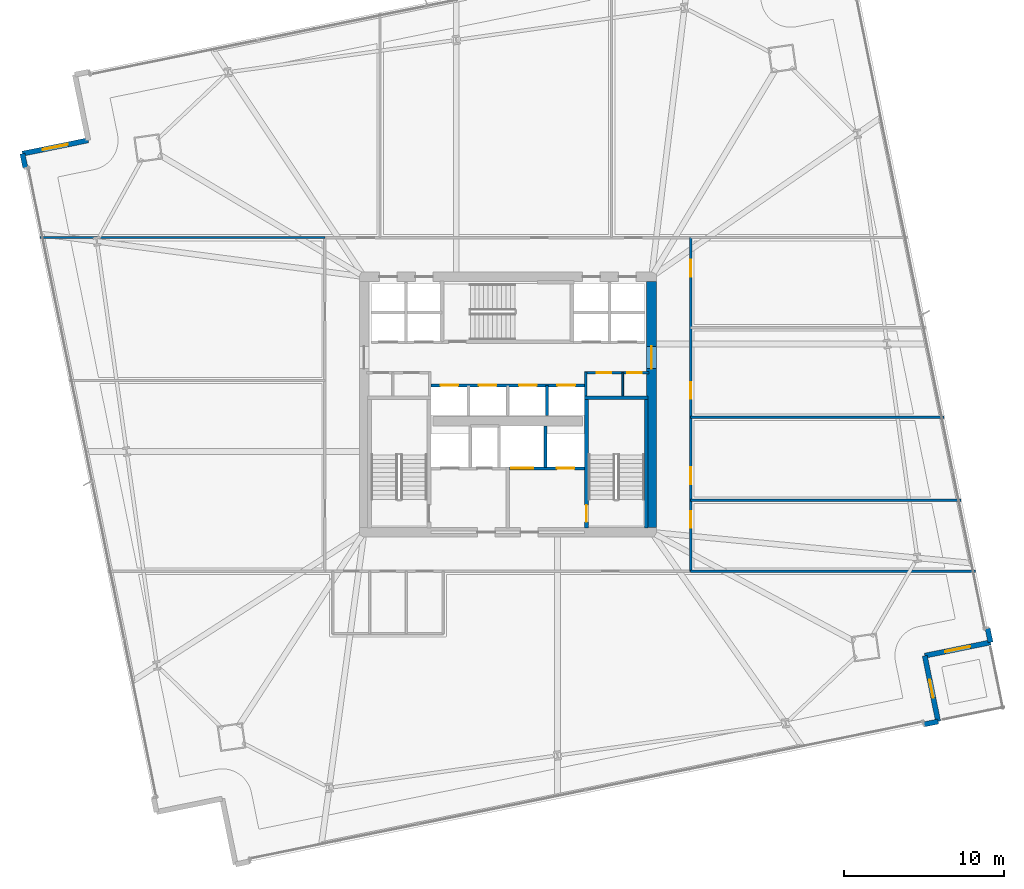
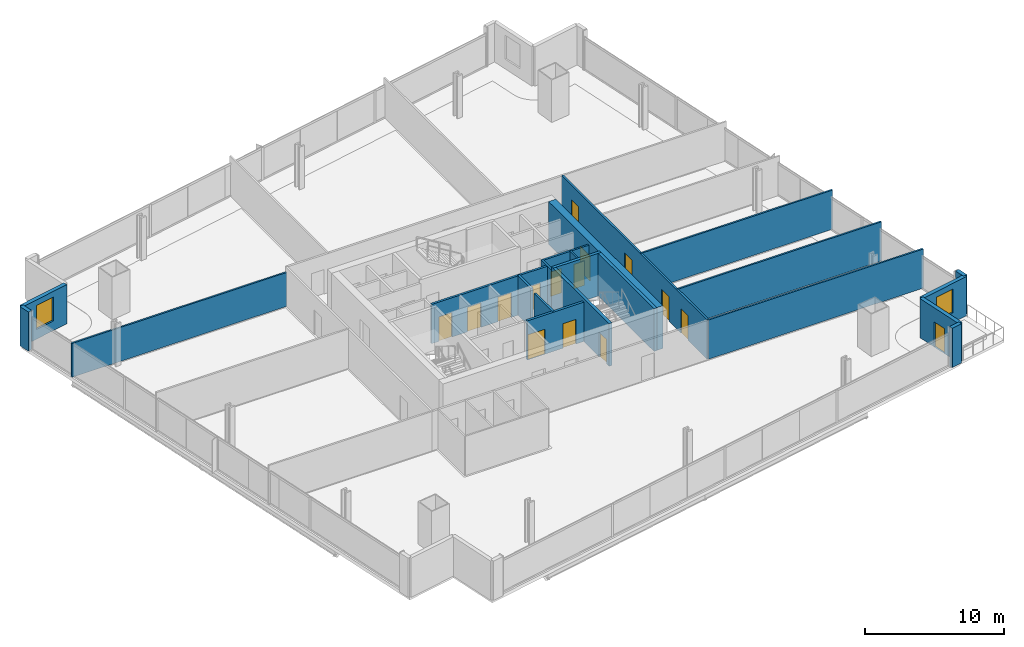
# One storey, part 26 of 33: 22 walls, 15 doors, 2 windows, 17 openings.
"""IFC4 building model written with IfcOpenShell, lengths in metres."""

from ifc_helpers import new_model, si_unit, direction, frame, frame_2d, origin, place, context, subcontext, project, spatial, rectangle, extrude, material, layer, layer_set, type_object, element, fill, save


model = new_model("IFC4")

# Units and contexts
model_context = context("Model", 3, precision=1e-05, world=origin(), true_north=direction((0.0, 1.0)))
body_context = subcontext(model_context, "Body", "Model", "MODEL_VIEW")
ifc_project = project(units=[si_unit("LENGTHUNIT", "METRE"), si_unit("AREAUNIT", "SQUARE_METRE"), si_unit("VOLUMEUNIT", "CUBIC_METRE"), si_unit("PLANEANGLEUNIT", "RADIAN"), si_unit("MASSUNIT", "GRAM", prefix="KILO")], contexts=[model_context])

# Site, building, storey
site_placement = place(None, origin())
site = spatial("IfcSite", under=ifc_project, at=site_placement, CompositionType="ELEMENT")
building_placement = place(site_placement, origin())
building = spatial("IfcBuilding", under=site, at=building_placement, Name="Haldenkirk Collegiate Tower", CompositionType="ELEMENT")
storey_placement = place(building_placement, frame((0.0, 0.0, 66.449951171875)))
storey = spatial("IfcBuildingStorey", under=building, at=storey_placement, Name="L15", CompositionType="ELEMENT", Elevation=66.449951171875)

# Wall, opening, door
ifc_material_1 = material(Name="Concrete f'c 70 MPa", Category="concrete")
ifc_layer_1 = layer(ifc_material_1, 0.60009765625)
ifc_layer_set_1 = layer_set([ifc_layer_1], Name="Concrete f'c 70 MPa")
wall_type_1 = type_object("IfcWallType", Name="WL-CORE-600", PredefinedType="SHEAR", material=ifc_layer_set_1)
wall_1_placement = place(storey_placement, frame((45.0, 18.300048828125, 0.0), z_axis=(0.0, 0.0, 1.0), x_axis=(0.0, 1.0, 0.0)))
wall_1 = element("IfcWall", 1, at=wall_1_placement, inside=storey, type_object=wall_type_1, Name="L15 central core shear wall E", PredefinedType="SHEAR", context=body_context, shape_type="SweptSolid", body=[
    extrude(rectangle(XDim=15.39990234375, YDim=0.60009765625, at=frame_2d((7.699951171875, 0.0))), origin(), (0.0, 0.0, 1.0), 3.75),
])
opening_1_placement = place(wall_1_placement, frame((9.93994140625, 0.0, 0.0)))
opening_1 = element("IfcOpeningElement", 2, at=opening_1_placement, cuts=wall_1, Name="Opening D-03", PredefinedType="OPENING", context=body_context, shape_type="SweptSolid", body=[
    extrude(rectangle(XDim=1.39990234375, YDim=2.199951171875, at=frame_2d((0.699951171875, 1.10009765625))), frame((0.0, 0.31005859375, 0.0), z_axis=(0.0, -1.0, 0.0), x_axis=(1.0, 0.0, 0.0)), (0.0, 0.0, 1.0), 0.6201171875),
])
ifc_material_2 = material(Name="Galvanized fire-rated hollow steel door", Category="steel")
ifc_layer_2 = layer(ifc_material_2, 0.06005859375)
ifc_layer_set_2 = layer_set([ifc_layer_2], Name="Galvanized fire-rated hollow steel door")
door_type_1 = type_object("IfcDoorType", Name="DR-LOBBY-FD90-1400", OperationType="NOTDEFINED", PredefinedType="DOOR", material=ifc_layer_set_2)
door_1_placement = place(opening_1_placement, origin())
door_1 = element("IfcDoor", 3, at=door_1_placement, inside=storey, type_object=door_type_1, Name="L15 east lift lobby portal", OperationType="DOUBLE_DOOR_SINGLE_SWING", OverallHeight=2.199951171875, OverallWidth=1.39990234375, PredefinedType="DOOR", context=body_context, shape_type="SweptSolid", body=[
    extrude(rectangle(XDim=1.39990234375, YDim=2.199951171875, at=frame_2d((0.699951171875, 1.10009765625))), frame((0.0, 0.02490234375, 0.0), z_axis=(0.0, -1.0, 0.0), x_axis=(1.0, 0.0, 0.0)), (0.0, 0.0, 1.0), 0.050048828125),
])
fill(opening_1, door_1)

# Wall
ifc_material_3 = material(Name="Precast concrete f'c 40 MPa", Category="concrete")
ifc_layer_3 = layer(ifc_material_3, 0.320068359375)
ifc_layer_set_3 = layer_set([ifc_layer_3], Name="Precast concrete f'c 40 MPa")
wall_type_2 = type_object("IfcWallType", Name="WL-EXT-TWR-320", PredefinedType="STANDARD", material=ifc_layer_set_3)
wall_2_placement = place(storey_placement, frame((62.948486328125, 6.149169921875, 0.0), z_axis=(0.0, 0.0, 1.0), x_axis=(-0.979917798202, -0.199401877541, 0.0)))
element("IfcWall", 4, at=wall_2_placement, inside=storey, type_object=wall_type_2, Name="L15 precast corner pier SL", PredefinedType="STANDARD", context=body_context, shape_type="SweptSolid", body=[
    extrude(rectangle(XDim=0.89990234375, YDim=0.320068359375, at=frame_2d((0.449951171875, 0.0))), origin(), (0.0, 0.0, 1.0), 3.43994140625),
])

# Wall, opening, door
wall_3_placement = place(storey_placement, frame((62.111328125, 10.264892578125, 0.0), z_axis=(0.0, 0.0, 1.0), x_axis=(0.199323343051, -0.97993377578, 0.0)))
wall_3 = element("IfcWall", 5, at=wall_3_placement, inside=storey, type_object=wall_type_2, Name="L15 bronze precast notch wall 02", PredefinedType="STANDARD", context=body_context, shape_type="SweptSolid", body=[
    extrude(rectangle(XDim=4.199951171875, YDim=0.320068359375, at=frame_2d((2.10009765625, 0.0))), origin(), (0.0, 0.0, 1.0), 3.43994140625),
])
opening_2_placement = place(wall_3_placement, frame((1.52490234375, 0.0, 0.0)))
opening_2 = element("IfcOpeningElement", 6, at=opening_2_placement, cuts=wall_3, Name="Opening D-ST11", PredefinedType="OPENING", context=body_context, shape_type="SweptSolid", body=[
    extrude(rectangle(XDim=1.14990234375, YDim=2.199951171875, at=frame_2d((0.574951171875, 1.10009765625))), frame((0.0, 0.169921875, 0.0), z_axis=(0.0, -1.0, 0.0), x_axis=(1.0, 0.0, 0.0)), (0.0, 0.0, 1.0), 0.340087890625),
])
ifc_material_4 = material(Name="Anodised architectural bronze aluminium", Category="aluminium")
ifc_layer_4 = layer(ifc_material_4, 0.080078125)
ifc_layer_set_4 = layer_set([ifc_layer_4], Name="Anodised architectural bronze aluminium")
door_type_2 = type_object("IfcDoorType", Name="DR-EXT-STER-1150", OperationType="NOTDEFINED", PredefinedType="DOOR", material=ifc_layer_set_4)
door_2_placement = place(opening_2_placement, origin())
door_2 = element("IfcDoor", 7, at=door_2_placement, inside=storey, type_object=door_type_2, Name="L15 spiralling terrace door", OperationType="SINGLE_SWING_RIGHT", OverallHeight=2.199951171875, OverallWidth=1.14990234375, PredefinedType="DOOR", context=body_context, shape_type="SweptSolid", body=[
    extrude(rectangle(XDim=1.14990234375, YDim=2.199951171875, at=frame_2d((0.574951171875, 1.10009765625))), frame((0.0, 0.02490234375, 0.0), z_axis=(0.0, -1.0, 0.0), x_axis=(1.0, 0.0, 0.0)), (0.0, 0.0, 1.0), 0.050048828125),
])
fill(opening_2, door_2)

# Wall, opening, window
wall_4_placement = place(storey_placement, frame((66.22705078125, 11.102294921875, 0.0), z_axis=(0.0, 0.0, 1.0), x_axis=(-0.979922420409, -0.199379161348, 0.0)))
wall_4 = element("IfcWall", 8, at=wall_4_placement, inside=storey, type_object=wall_type_2, Name="L15 bronze precast notch wall 03", PredefinedType="STANDARD", context=body_context, shape_type="SweptSolid", body=[
    extrude(rectangle(XDim=4.199951171875, YDim=0.320068359375, at=frame_2d((2.10009765625, 0.0))), origin(), (0.0, 0.0, 1.0), 3.43994140625),
])
opening_3_placement = place(wall_4_placement, frame((1.300048828125, 0.0, 0.85009765625)))
opening_3 = element("IfcOpeningElement", 9, at=opening_3_placement, cuts=wall_4, Name="Opening W-03", PredefinedType="OPENING", context=body_context, shape_type="SweptSolid", body=[
    extrude(rectangle(XDim=1.60009765625, YDim=2.10009765625, at=frame_2d((0.800048828125, 1.050048828125))), frame((0.0, 0.169921875, 0.0), z_axis=(0.0, -1.0, 0.0), x_axis=(1.0, 0.0, 0.0)), (0.0, 0.0, 1.0), 0.340087890625),
])
ifc_material_5 = material(Name="Low-E argon triple insulating glass", Category="glass")
ifc_layer_5 = layer(ifc_material_5, 0.090087890625)
ifc_layer_set_5 = layer_set([ifc_layer_5], Name="Low-E argon triple insulating glass")
window_type = type_object("IfcWindowType", Name="WN-Z1-1600X2100", PartitioningType="SINGLE_PANEL", PredefinedType="WINDOW", material=ifc_layer_set_5)
window_1_placement = place(opening_3_placement, origin())
window_1 = element("IfcWindow", 10, at=window_1_placement, inside=storey, type_object=window_type, Name="L15 precast-frame academic window 2", OverallHeight=2.10009765625, OverallWidth=1.60009765625, PartitioningType="SINGLE_PANEL", PredefinedType="WINDOW", context=body_context, shape_type="SweptSolid", body=[
    extrude(rectangle(XDim=1.60009765625, YDim=2.10009765625, at=frame_2d((0.800048828125, 1.050048828125))), frame((0.0, 0.030029296875, 0.0), z_axis=(0.0, -1.0, 0.0), x_axis=(1.0, 0.0, 0.0)), (0.0, 0.0, 1.0), 0.06005859375),
])
fill(opening_3, window_1)

# Wall
wall_5_placement = place(storey_placement, frame((66.047607421875, 11.984130859375, 0.0), z_axis=(0.0, 0.0, 1.0), x_axis=(0.199401877541, -0.979917798202, 0.0)))
element("IfcWall", 11, at=wall_5_placement, inside=storey, type_object=wall_type_2, Name="L15 precast corner pier ER", PredefinedType="STANDARD", context=body_context, shape_type="SweptSolid", body=[
    extrude(rectangle(XDim=0.89990234375, YDim=0.320068359375, at=frame_2d((0.449951171875, 0.0))), origin(), (0.0, 0.0, 1.0), 3.43994140625),
])

# Wall, opening, window
wall_6_placement = place(storey_placement, frame((5.608642578125, 41.706298828125, 0.0), z_axis=(0.0, 0.0, 1.0), x_axis=(0.979920109503, 0.199390518811, 0.0)))
wall_6 = element("IfcWall", 12, at=wall_6_placement, inside=storey, type_object=wall_type_2, Name="L15 bronze precast notch wall 09", PredefinedType="STANDARD", context=body_context, shape_type="SweptSolid", body=[
    extrude(rectangle(XDim=4.19970703125, YDim=0.320068359375, at=frame_2d((2.099853515625, 0.0))), origin(), (0.0, 0.0, 1.0), 3.43994140625),
])
opening_4_placement = place(wall_6_placement, frame((1.300048828125, 0.0, 0.85009765625)))
opening_4 = element("IfcOpeningElement", 13, at=opening_4_placement, cuts=wall_6, Name="Opening W-03", PredefinedType="OPENING", context=body_context, shape_type="SweptSolid", body=[
    extrude(rectangle(XDim=1.60009765625, YDim=2.10009765625, at=frame_2d((0.800048828125, 1.050048828125))), frame((0.0, 0.169921875, 0.0), z_axis=(0.0, -1.0, 0.0), x_axis=(1.0, 0.0, 0.0)), (0.0, 0.0, 1.0), 0.340087890625),
])
window_2_placement = place(opening_4_placement, origin())
window_2 = element("IfcWindow", 14, at=window_2_placement, inside=storey, type_object=window_type, Name="L15 precast-frame academic window 8", OverallHeight=2.10009765625, OverallWidth=1.60009765625, PartitioningType="SINGLE_PANEL", PredefinedType="WINDOW", context=body_context, shape_type="SweptSolid", body=[
    extrude(rectangle(XDim=1.60009765625, YDim=2.10009765625, at=frame_2d((0.800048828125, 1.050048828125))), frame((0.0, 0.030029296875, 0.0), z_axis=(0.0, -1.0, 0.0), x_axis=(1.0, 0.0, 0.0)), (0.0, 0.0, 1.0), 0.06005859375),
])
fill(opening_4, window_2)

# Wall
wall_7_placement = place(storey_placement, frame((5.7880859375, 40.82421875, 0.0), z_axis=(0.0, 0.0, 1.0), x_axis=(-0.199348880974, 0.979928580895, 0.0)))
element("IfcWall", 15, at=wall_7_placement, inside=storey, type_object=wall_type_2, Name="L15 precast corner pier WR", PredefinedType="STANDARD", context=body_context, shape_type="SweptSolid", body=[
    extrude(rectangle(XDim=0.900146484375, YDim=0.320068359375, at=frame_2d((0.4501953125, 0.0))), origin(), (0.0, 0.0, 1.0), 3.43994140625),
])

# Wall, openings, doors
ifc_material_6 = material(Name="Acoustic fire-rated gypsum partition", Category="concrete")
ifc_layer_6 = layer(ifc_material_6, 0.159912109375)
ifc_layer_set_6 = layer_set([ifc_layer_6], Name="Acoustic fire-rated gypsum partition")
wall_type_3 = type_object("IfcWallType", Name="WL-INT-CORR-160", PredefinedType="PARTITIONING", material=ifc_layer_set_6)
wall_8_placement = place(storey_placement, frame((40.800048828125, 27.97998046875, 0.0), z_axis=(0.0, 0.0, 1.0), x_axis=(1.0, 0.0, 0.0)))
wall_8 = element("IfcWall", 16, at=wall_8_placement, inside=storey, type_object=wall_type_3, Name="L15 interior partition IW-L15-VCSE-N", PredefinedType="PARTITIONING", context=body_context, shape_type="SweptSolid", body=[
    extrude(rectangle(XDim=4.050048828125, YDim=0.159912109375, at=frame_2d((2.02490234375, 0.0))), origin(), (0.0, 0.0, 1.0), 3.43994140625),
])
opening_5_placement = place(wall_8_placement, frame((0.77001953125, 0.0, 0.0)))
opening_5 = element("IfcOpeningElement", 17, at=opening_5_placement, cuts=wall_8, Name="Opening D-11", PredefinedType="OPENING", context=body_context, shape_type="SweptSolid", body=[
    extrude(rectangle(XDim=0.89990234375, YDim=2.14990234375, at=frame_2d((0.449951171875, 1.074951171875))), frame((0.0, 0.08984375, 0.0), z_axis=(0.0, -1.0, 0.0), x_axis=(1.0, 0.0, 0.0)), (0.0, 0.0, 1.0), 0.179931640625),
])
opening_6_placement = place(wall_8_placement, frame((2.679931640625, 0.0, 0.0)))
opening_6 = element("IfcOpeningElement", 18, at=opening_6_placement, cuts=wall_8, Name="Opening D-11", PredefinedType="OPENING", context=body_context, shape_type="SweptSolid", body=[
    extrude(rectangle(XDim=0.89990234375, YDim=2.14990234375, at=frame_2d((0.449951171875, 1.074951171875))), frame((0.0, 0.08984375, 0.0), z_axis=(0.0, -1.0, 0.0), x_axis=(1.0, 0.0, 0.0)), (0.0, 0.0, 1.0), 0.179931640625),
])
ifc_material_7 = material(Name="Solid-core architectural oak fire door", Category="wood")
ifc_layer_7 = layer(ifc_material_7, 0.06005859375)
ifc_layer_set_7 = layer_set([ifc_layer_7], Name="Solid-core architectural oak fire door")
door_type_3 = type_object("IfcDoorType", Name="DR-INT-FD60-900", OperationType="NOTDEFINED", PredefinedType="DOOR", material=ifc_layer_set_7)
door_3_placement = place(opening_5_placement, origin())
door_3 = element("IfcDoor", 19, at=door_3_placement, inside=storey, type_object=door_type_3, Name="L15 core archive door", OperationType="SINGLE_SWING_RIGHT", OverallHeight=2.14990234375, OverallWidth=0.89990234375, PredefinedType="DOOR", context=body_context, shape_type="SweptSolid", body=[
    extrude(rectangle(XDim=0.89990234375, YDim=2.14990234375, at=frame_2d((0.449951171875, 1.074951171875))), frame((0.0, 0.02490234375, 0.0), z_axis=(0.0, -1.0, 0.0), x_axis=(1.0, 0.0, 0.0)), (0.0, 0.0, 1.0), 0.050048828125),
])
fill(opening_5, door_3)
door_4_placement = place(opening_6_placement, origin())
door_4 = element("IfcDoor", 20, at=door_4_placement, inside=storey, type_object=door_type_3, Name="L15 core telecom door", OperationType="SINGLE_SWING_LEFT", OverallHeight=2.14990234375, OverallWidth=0.89990234375, PredefinedType="DOOR", context=body_context, shape_type="SweptSolid", body=[
    extrude(rectangle(XDim=0.89990234375, YDim=2.14990234375, at=frame_2d((0.449951171875, 1.074951171875))), frame((0.0, 0.02490234375, 0.0), z_axis=(0.0, -1.0, 0.0), x_axis=(1.0, 0.0, 0.0)), (0.0, 0.0, 1.0), 0.050048828125),
])
fill(opening_6, door_4)

# Wall
wall_9_placement = place(storey_placement, frame((40.8798828125, 26.5400390625, 0.0), z_axis=(0.0, 0.0, 1.0), x_axis=(0.0, 1.0, 0.0)))
element("IfcWall", 21, at=wall_9_placement, inside=storey, type_object=wall_type_3, Name="L15 interior partition IW-L15-VCSE-W", PredefinedType="PARTITIONING", context=body_context, shape_type="SweptSolid", body=[
    extrude(rectangle(XDim=1.510009765625, YDim=0.159912109375, at=frame_2d((0.7548828125, 0.0))), origin(), (0.0, 0.0, 1.0), 3.43994140625),
])

# Wall, openings, doors
wall_10_placement = place(storey_placement, frame((47.449951171875, 15.550048828125, 0.0), z_axis=(0.0, 0.0, 1.0), x_axis=(0.0, 1.0, 0.0)))
wall_10 = element("IfcWall", 22, at=wall_10_placement, inside=storey, type_object=wall_type_3, Name="L15 interior partition IW-L15-CE", PredefinedType="PARTITIONING", context=body_context, shape_type="SweptSolid", body=[
    extrude(rectangle(XDim=20.89990234375, YDim=0.159912109375, at=frame_2d((10.449951171875, 0.0))), origin(), (0.0, 0.0, 1.0), 3.43994140625),
])
opening_7_placement = place(wall_10_placement, frame((2.72705078125, 0.0, 0.0)))
opening_7 = element("IfcOpeningElement", 23, at=opening_7_placement, cuts=wall_10, Name="Opening D-09", PredefinedType="OPENING", context=body_context, shape_type="SweptSolid", body=[
    extrude(rectangle(XDim=1.050048828125, YDim=2.14990234375, at=frame_2d((0.52490234375, 1.074951171875))), frame((0.0, 0.08984375, 0.0), z_axis=(0.0, -1.0, 0.0), x_axis=(1.0, 0.0, 0.0)), (0.0, 0.0, 1.0), 0.179931640625),
])
opening_8_placement = place(wall_10_placement, frame((5.468994140625, 0.0, 0.0)))
opening_8 = element("IfcOpeningElement", 24, at=opening_8_placement, cuts=wall_10, Name="Opening D-09", PredefinedType="OPENING", context=body_context, shape_type="SweptSolid", body=[
    extrude(rectangle(XDim=1.050048828125, YDim=2.14990234375, at=frame_2d((0.52490234375, 1.074951171875))), frame((0.0, 0.08984375, 0.0), z_axis=(0.0, -1.0, 0.0), x_axis=(1.0, 0.0, 0.0)), (0.0, 0.0, 1.0), 0.179931640625),
])
opening_9_placement = place(wall_10_placement, frame((10.797119140625, 0.0, 0.0)))
opening_9 = element("IfcOpeningElement", 25, at=opening_9_placement, cuts=wall_10, Name="Opening D-09", PredefinedType="OPENING", context=body_context, shape_type="SweptSolid", body=[
    extrude(rectangle(XDim=1.050048828125, YDim=2.14990234375, at=frame_2d((0.52490234375, 1.074951171875))), frame((0.0, 0.08984375, 0.0), z_axis=(0.0, -1.0, 0.0), x_axis=(1.0, 0.0, 0.0)), (0.0, 0.0, 1.0), 0.179931640625),
])
opening_10_placement = place(wall_10_placement, frame((18.4609375, 0.0, 0.0)))
opening_10 = element("IfcOpeningElement", 26, at=opening_10_placement, cuts=wall_10, Name="Opening D-09", PredefinedType="OPENING", context=body_context, shape_type="SweptSolid", body=[
    extrude(rectangle(XDim=1.050048828125, YDim=2.14990234375, at=frame_2d((0.52490234375, 1.074951171875))), frame((0.0, 0.08984375, 0.0), z_axis=(0.0, -1.0, 0.0), x_axis=(1.0, 0.0, 0.0)), (0.0, 0.0, 1.0), 0.179931640625),
])
ifc_layer_8 = layer(ifc_material_7, 0.06005859375)
ifc_layer_set_8 = layer_set([ifc_layer_8], Name="Solid-core architectural oak fire door")
door_type_4 = type_object("IfcDoorType", Name="DR-INT-FD60-1050", OperationType="NOTDEFINED", PredefinedType="DOOR", material=ifc_layer_set_8)
door_5_placement = place(opening_7_placement, origin())
door_5 = element("IfcDoor", 27, at=door_5_placement, inside=storey, type_object=door_type_4, Name="L15 Hospitality Tea Kitchen 7 door", OperationType="SINGLE_SWING_LEFT", OverallHeight=2.14990234375, OverallWidth=1.050048828125, PredefinedType="DOOR", context=body_context, shape_type="SweptSolid", body=[
    extrude(rectangle(XDim=1.050048828125, YDim=2.14990234375, at=frame_2d((0.52490234375, 1.074951171875))), frame((0.0, 0.02490234375, 0.0), z_axis=(0.0, -1.0, 0.0), x_axis=(1.0, 0.0, 0.0)), (0.0, 0.0, 1.0), 0.050048828125),
])
fill(opening_7, door_5)
door_6_placement = place(opening_8_placement, origin())
door_6 = element("IfcDoor", 28, at=door_6_placement, inside=storey, type_object=door_type_4, Name="L15 Catering Tea Kitchen 8 door", OperationType="SINGLE_SWING_RIGHT", OverallHeight=2.14990234375, OverallWidth=1.050048828125, PredefinedType="DOOR", context=body_context, shape_type="SweptSolid", body=[
    extrude(rectangle(XDim=1.050048828125, YDim=2.14990234375, at=frame_2d((0.52490234375, 1.074951171875))), frame((0.0, 0.02490234375, 0.0), z_axis=(0.0, -1.0, 0.0), x_axis=(1.0, 0.0, 0.0)), (0.0, 0.0, 1.0), 0.050048828125),
])
fill(opening_8, door_6)
door_7_placement = place(opening_9_placement, origin())
door_7 = element("IfcDoor", 29, at=door_7_placement, inside=storey, type_object=door_type_4, Name="L15 Faculty Tea Kitchen 9 door", OperationType="SINGLE_SWING_LEFT", OverallHeight=2.14990234375, OverallWidth=1.050048828125, PredefinedType="DOOR", context=body_context, shape_type="SweptSolid", body=[
    extrude(rectangle(XDim=1.050048828125, YDim=2.14990234375, at=frame_2d((0.52490234375, 1.074951171875))), frame((0.0, 0.02490234375, 0.0), z_axis=(0.0, -1.0, 0.0), x_axis=(1.0, 0.0, 0.0)), (0.0, 0.0, 1.0), 0.050048828125),
])
fill(opening_9, door_7)
door_8_placement = place(opening_10_placement, origin())
door_8 = element("IfcDoor", 30, at=door_8_placement, inside=storey, type_object=door_type_4, Name="L15 Academic Tea Kitchen 10 door", OperationType="SINGLE_SWING_RIGHT", OverallHeight=2.14990234375, OverallWidth=1.050048828125, PredefinedType="DOOR", context=body_context, shape_type="SweptSolid", body=[
    extrude(rectangle(XDim=1.050048828125, YDim=2.14990234375, at=frame_2d((0.52490234375, 1.074951171875))), frame((0.0, 0.02490234375, 0.0), z_axis=(0.0, -1.0, 0.0), x_axis=(1.0, 0.0, 0.0)), (0.0, 0.0, 1.0), 0.050048828125),
])
fill(opening_10, door_8)

# Walls
ifc_layer_9 = layer(ifc_material_6, 0.139892578125)
ifc_layer_set_9 = layer_set([ifc_layer_9], Name="Acoustic fire-rated gypsum partition")
wall_type_4 = type_object("IfcWallType", Name="WL-INT-DIV-140", PredefinedType="PARTITIONING", material=ifc_layer_set_9)
wall_11_placement = place(storey_placement, frame((6.71875, 36.449951171875, 0.0), z_axis=(0.0, 0.0, 1.0), x_axis=(1.0, 0.0, 0.0)))
element("IfcWall", 31, at=wall_11_placement, inside=storey, type_object=wall_type_4, Name="L15 interior partition IW-L15-BWN", PredefinedType="PARTITIONING", context=body_context, shape_type="SweptSolid", body=[
    extrude(rectangle(XDim=17.831298828125, YDim=0.139892578125, at=frame_2d((8.91552734375, 0.0))), origin(), (0.0, 0.0, 1.0), 2.97216796875),
])
wall_12_placement = place(storey_placement, frame((47.449951171875, 15.550048828125, 0.0), z_axis=(0.0, 0.0, 1.0), x_axis=(1.0, 0.0, 0.0)))
element("IfcWall", 32, at=wall_12_placement, inside=storey, type_object=wall_type_4, Name="L15 interior partition IW-L15-BES", PredefinedType="PARTITIONING", context=body_context, shape_type="SweptSolid", body=[
    extrude(rectangle(XDim=17.831298828125, YDim=0.139892578125, at=frame_2d((8.91552734375, 0.0))), origin(), (0.0, 0.0, 1.0), 3.43994140625),
])
wall_13_placement = place(storey_placement, frame((47.449951171875, 20.0, 0.0), z_axis=(0.0, 0.0, 1.0), x_axis=(1.0, 0.0, 0.0)))
element("IfcWall", 33, at=wall_13_placement, inside=storey, type_object=wall_type_4, Name="L15 interior partition IW-L15-RE1", PredefinedType="PARTITIONING", context=body_context, shape_type="SweptSolid", body=[
    extrude(rectangle(XDim=16.926025390625, YDim=0.139892578125, at=frame_2d((8.462890625, 0.0))), origin(), (0.0, 0.0, 1.0), 3.43994140625),
])
wall_14_placement = place(storey_placement, frame((47.449951171875, 25.199951171875, 0.0), z_axis=(0.0, 0.0, 1.0), x_axis=(1.0, 0.0, 0.0)))
element("IfcWall", 34, at=wall_14_placement, inside=storey, type_object=wall_type_4, Name="L15 interior partition IW-L15-RE2", PredefinedType="PARTITIONING", context=body_context, shape_type="SweptSolid", body=[
    extrude(rectangle(XDim=15.8681640625, YDim=0.139892578125, at=frame_2d((7.93408203125, 0.0))), origin(), (0.0, 0.0, 1.0), 3.43994140625),
])
ifc_material_8 = material(Name="Fire-rated gypsum shaftboard assembly", Category="concrete")
ifc_layer_10 = layer(ifc_material_8, 0.179931640625)
ifc_layer_set_10 = layer_set([ifc_layer_10], Name="Fire-rated gypsum shaftboard assembly")
wall_type_5 = type_object("IfcWallType", Name="WL-INT-SHAFT-180", PredefinedType="PARTITIONING", material=ifc_layer_set_10)
wall_15_placement = place(storey_placement, frame((38.35009765625, 22.050048828125, 0.0), z_axis=(0.0, 0.0, 1.0), x_axis=(0.0, 1.0, 0.0)))
element("IfcWall", 35, at=wall_15_placement, inside=storey, type_object=wall_type_5, Name="L15 interior partition IW-L15-GL1E", PredefinedType="PARTITIONING", context=body_context, shape_type="SweptSolid", body=[
    extrude(rectangle(XDim=2.599853515625, YDim=0.179931640625, at=frame_2d((1.2998046875, 0.0))), origin(), (0.0, 0.0, 1.0), 3.43994140625),
])

# Wall, openings, doors
wall_16_placement = place(storey_placement, frame((31.199951171875, 27.199951171875, 0.0), z_axis=(0.0, 0.0, 1.0), x_axis=(1.0, 0.0, 0.0)))
wall_16 = element("IfcWall", 36, at=wall_16_placement, inside=storey, type_object=wall_type_5, Name="L15 interior partition IW-L15-PHN", PredefinedType="PARTITIONING", context=body_context, shape_type="SweptSolid", body=[
    extrude(rectangle(XDim=9.60009765625, YDim=0.179931640625, at=frame_2d((4.800048828125, 0.0))), origin(), (0.0, 0.0, 1.0), 3.43994140625),
])
opening_11_placement = place(wall_16_placement, frame((0.590087890625, 0.0, 0.0)))
opening_11 = element("IfcOpeningElement", 37, at=opening_11_placement, cuts=wall_16, Name="Opening LD-11", PredefinedType="OPENING", context=body_context, shape_type="SweptSolid", body=[
    extrude(rectangle(XDim=1.10009765625, YDim=2.14990234375, at=frame_2d((0.550048828125, 1.074951171875))), frame((0.0, 0.099853515625, 0.0), z_axis=(0.0, -1.0, 0.0), x_axis=(1.0, 0.0, 0.0)), (0.0, 0.0, 1.0), 0.199951171875),
])
opening_12_placement = place(wall_16_placement, frame((2.989990234375, 0.0, 0.0)))
opening_12 = element("IfcOpeningElement", 38, at=opening_12_placement, cuts=wall_16, Name="Opening LD-11", PredefinedType="OPENING", context=body_context, shape_type="SweptSolid", body=[
    extrude(rectangle(XDim=1.10009765625, YDim=2.14990234375, at=frame_2d((0.550048828125, 1.074951171875))), frame((0.0, 0.099853515625, 0.0), z_axis=(0.0, -1.0, 0.0), x_axis=(1.0, 0.0, 0.0)), (0.0, 0.0, 1.0), 0.199951171875),
])
opening_13_placement = place(wall_16_placement, frame((5.510009765625, 0.0, 0.0)))
opening_13 = element("IfcOpeningElement", 39, at=opening_13_placement, cuts=wall_16, Name="Opening LD-11", PredefinedType="OPENING", context=body_context, shape_type="SweptSolid", body=[
    extrude(rectangle(XDim=1.10009765625, YDim=2.14990234375, at=frame_2d((0.550048828125, 1.074951171875))), frame((0.0, 0.099853515625, 0.0), z_axis=(0.0, -1.0, 0.0), x_axis=(1.0, 0.0, 0.0)), (0.0, 0.0, 1.0), 0.199951171875),
])
opening_14_placement = place(wall_16_placement, frame((7.909912109375, 0.0, 0.0)))
opening_14 = element("IfcOpeningElement", 40, at=opening_14_placement, cuts=wall_16, Name="Opening LD-11", PredefinedType="OPENING", context=body_context, shape_type="SweptSolid", body=[
    extrude(rectangle(XDim=1.10009765625, YDim=2.14990234375, at=frame_2d((0.550048828125, 1.074951171875))), frame((0.0, 0.099853515625, 0.0), z_axis=(0.0, -1.0, 0.0), x_axis=(1.0, 0.0, 0.0)), (0.0, 0.0, 1.0), 0.199951171875),
])
ifc_material_9 = material(Name="Brushed architectural stainless steel", Category="steel")
ifc_layer_11 = layer(ifc_material_9, 0.06005859375)
ifc_layer_set_11 = layer_set([ifc_layer_11], Name="Brushed architectural stainless steel")
door_type_5 = type_object("IfcDoorType", Name="LD-PASS-1100", OperationType="NOTDEFINED", PredefinedType="DOOR", material=ifc_layer_set_11)
door_9_placement = place(opening_11_placement, origin())
door_9 = element("IfcDoor", 41, at=door_9_placement, inside=storey, type_object=door_type_5, Name="L15 Elevator PH1 sliding landing door", OperationType="SLIDING_TO_LEFT", OverallHeight=2.14990234375, OverallWidth=1.10009765625, PredefinedType="DOOR", context=body_context, shape_type="SweptSolid", body=[
    extrude(rectangle(XDim=1.10009765625, YDim=2.14990234375, at=frame_2d((0.550048828125, 1.074951171875))), frame((0.0, 0.02490234375, 0.0), z_axis=(0.0, -1.0, 0.0), x_axis=(1.0, 0.0, 0.0)), (0.0, 0.0, 1.0), 0.050048828125),
])
fill(opening_11, door_9)
door_10_placement = place(opening_12_placement, origin())
door_10 = element("IfcDoor", 42, at=door_10_placement, inside=storey, type_object=door_type_5, Name="L15 Elevator PH2 sliding landing door", OperationType="SLIDING_TO_LEFT", OverallHeight=2.14990234375, OverallWidth=1.10009765625, PredefinedType="DOOR", context=body_context, shape_type="SweptSolid", body=[
    extrude(rectangle(XDim=1.10009765625, YDim=2.14990234375, at=frame_2d((0.550048828125, 1.074951171875))), frame((0.0, 0.02490234375, 0.0), z_axis=(0.0, -1.0, 0.0), x_axis=(1.0, 0.0, 0.0)), (0.0, 0.0, 1.0), 0.050048828125),
])
fill(opening_12, door_10)
door_11_placement = place(opening_13_placement, origin())
door_11 = element("IfcDoor", 43, at=door_11_placement, inside=storey, type_object=door_type_5, Name="L15 Elevator PH3 sliding landing door", OperationType="SLIDING_TO_LEFT", OverallHeight=2.14990234375, OverallWidth=1.10009765625, PredefinedType="DOOR", context=body_context, shape_type="SweptSolid", body=[
    extrude(rectangle(XDim=1.10009765625, YDim=2.14990234375, at=frame_2d((0.550048828125, 1.074951171875))), frame((0.0, 0.02490234375, 0.0), z_axis=(0.0, -1.0, 0.0), x_axis=(1.0, 0.0, 0.0)), (0.0, 0.0, 1.0), 0.050048828125),
])
fill(opening_13, door_11)
door_12_placement = place(opening_14_placement, origin())
door_12 = element("IfcDoor", 44, at=door_12_placement, inside=storey, type_object=door_type_5, Name="L15 Elevator PH4 sliding landing door", OperationType="SLIDING_TO_LEFT", OverallHeight=2.14990234375, OverallWidth=1.10009765625, PredefinedType="DOOR", context=body_context, shape_type="SweptSolid", body=[
    extrude(rectangle(XDim=1.10009765625, YDim=2.14990234375, at=frame_2d((0.550048828125, 1.074951171875))), frame((0.0, 0.02490234375, 0.0), z_axis=(0.0, -1.0, 0.0), x_axis=(1.0, 0.0, 0.0)), (0.0, 0.0, 1.0), 0.050048828125),
])
fill(opening_14, door_12)

# Wall
wall_17_placement = place(storey_placement, frame((38.4599609375, 25.300048828125, 0.0), z_axis=(0.0, 0.0, 1.0), x_axis=(0.0, 1.0, 0.0)))
element("IfcWall", 45, at=wall_17_placement, inside=storey, type_object=wall_type_5, Name="L15 interior partition IW-L15-PHV3", PredefinedType="PARTITIONING", context=body_context, shape_type="SweptSolid", body=[
    extrude(rectangle(XDim=1.89990234375, YDim=0.179931640625, at=frame_2d((0.949951171875, 0.0))), origin(), (0.0, 0.0, 1.0), 3.43994140625),
])

# Wall, openings, doors
ifc_layer_12 = layer(ifc_material_8, 0.199951171875)
ifc_layer_set_12 = layer_set([ifc_layer_12], Name="Fire-rated gypsum shaftboard assembly")
wall_type_6 = type_object("IfcWallType", Name="WL-INT-SHAFT-200", PredefinedType="PARTITIONING", material=ifc_layer_set_12)
wall_18_placement = place(storey_placement, frame((36.1201171875, 22.0, 0.0), z_axis=(0.0, 0.0, 1.0), x_axis=(1.0, 0.0, 0.0)))
wall_18 = element("IfcWall", 46, at=wall_18_placement, inside=storey, type_object=wall_type_6, Name="L15 interior partition IW-L15-FFL2N", PredefinedType="PARTITIONING", context=body_context, shape_type="SweptSolid", body=[
    extrude(rectangle(XDim=4.68994140625, YDim=0.199951171875, at=frame_2d((2.344970703125, 0.0))), origin(), (0.0, 0.0, 1.0), 3.43994140625),
])
opening_15_placement = place(wall_18_placement, frame((2.955078125, 0.0, 0.0)))
opening_15 = element("IfcOpeningElement", 47, at=opening_15_placement, cuts=wall_18, Name="Opening LD-12", PredefinedType="OPENING", context=body_context, shape_type="SweptSolid", body=[
    extrude(rectangle(XDim=1.10009765625, YDim=2.14990234375, at=frame_2d((0.550048828125, 1.074951171875))), frame((0.0, 0.10986328125, 0.0), z_axis=(0.0, -1.0, 0.0), x_axis=(1.0, 0.0, 0.0)), (0.0, 0.0, 1.0), 0.219970703125),
])
opening_16_placement = place(wall_18_placement, frame((0.080078125, 0.0, 0.0)))
opening_16 = element("IfcOpeningElement", 48, at=opening_16_placement, cuts=wall_18, Name="Opening LD-13", PredefinedType="OPENING", context=body_context, shape_type="SweptSolid", body=[
    extrude(rectangle(XDim=1.39990234375, YDim=2.199951171875, at=frame_2d((0.699951171875, 1.10009765625))), frame((0.0, 0.10986328125, 0.0), z_axis=(0.0, -1.0, 0.0), x_axis=(1.0, 0.0, 0.0)), (0.0, 0.0, 1.0), 0.219970703125),
])
ifc_layer_13 = layer(ifc_material_9, 0.06005859375)
ifc_layer_set_13 = layer_set([ifc_layer_13], Name="Brushed architectural stainless steel")
door_type_6 = type_object("IfcDoorType", Name="LD-FIRE-1100", OperationType="NOTDEFINED", PredefinedType="DOOR", material=ifc_layer_set_13)
door_13_placement = place(opening_15_placement, origin())
door_13 = element("IfcDoor", 49, at=door_13_placement, inside=storey, type_object=door_type_6, Name="L15 Elevator FL2 sliding landing door", OperationType="SLIDING_TO_LEFT", OverallHeight=2.14990234375, OverallWidth=1.10009765625, PredefinedType="DOOR", context=body_context, shape_type="SweptSolid", body=[
    extrude(rectangle(XDim=1.10009765625, YDim=2.14990234375, at=frame_2d((0.550048828125, 1.074951171875))), frame((0.0, 0.02490234375, 0.0), z_axis=(0.0, -1.0, 0.0), x_axis=(1.0, 0.0, 0.0)), (0.0, 0.0, 1.0), 0.050048828125),
])
fill(opening_15, door_13)
ifc_layer_14 = layer(ifc_material_9, 0.06005859375)
ifc_layer_set_14 = layer_set([ifc_layer_14], Name="Brushed architectural stainless steel")
door_type_7 = type_object("IfcDoorType", Name="LD-GOODS-1400", OperationType="NOTDEFINED", PredefinedType="DOOR", material=ifc_layer_set_14)
door_14_placement = place(opening_16_placement, origin())
door_14 = element("IfcDoor", 50, at=door_14_placement, inside=storey, type_object=door_type_7, Name="L15 Elevator GL1 sliding landing door", OperationType="SLIDING_TO_LEFT", OverallHeight=2.199951171875, OverallWidth=1.39990234375, PredefinedType="DOOR", context=body_context, shape_type="SweptSolid", body=[
    extrude(rectangle(XDim=1.39990234375, YDim=2.199951171875, at=frame_2d((0.699951171875, 1.10009765625))), frame((0.0, 0.02490234375, 0.0), z_axis=(0.0, -1.0, 0.0), x_axis=(1.0, 0.0, 0.0)), (0.0, 0.0, 1.0), 0.050048828125),
])
fill(opening_16, door_14)

# Wall
ifc_layer_15 = layer(ifc_material_6, 0.1201171875)
ifc_layer_set_15 = layer_set([ifc_layer_15], Name="Acoustic fire-rated gypsum partition")
wall_type_7 = type_object("IfcWallType", Name="WL-INT-WET-120", PredefinedType="PARTITIONING", material=ifc_layer_set_15)
wall_19_placement = place(storey_placement, frame((43.199951171875, 26.5400390625, 0.0), z_axis=(0.0, 0.0, 1.0), x_axis=(0.0, 1.0, 0.0)))
element("IfcWall", 51, at=wall_19_placement, inside=storey, type_object=wall_type_7, Name="L15 interior partition IW-L15-VCSE-M", PredefinedType="PARTITIONING", context=body_context, shape_type="SweptSolid", body=[
    extrude(rectangle(XDim=1.43994140625, YDim=0.1201171875, at=frame_2d((0.719970703125, 0.0))), origin(), (0.0, 0.0, 1.0), 3.43994140625),
])

# Wall, opening, door
ifc_material_10 = material(Name="Concrete f'c 55 MPa", Category="concrete")
ifc_layer_16 = layer(ifc_material_10, 0.239990234375)
ifc_layer_set_16 = layer_set([ifc_layer_16], Name="Concrete f'c 55 MPa")
wall_type_8 = type_object("IfcWallType", Name="WL-SHAFT-240", PredefinedType="SHEAR", material=ifc_layer_set_16)
wall_20_placement = place(storey_placement, frame((40.929931640625, 18.280029296875, 0.0), z_axis=(0.0, 0.0, 1.0), x_axis=(0.0, 1.0, 0.0)))
wall_20 = element("IfcWall", 52, at=wall_20_placement, inside=storey, type_object=wall_type_8, Name="L15 stair shaft shear wall SW-L15-ST2W", PredefinedType="SHEAR", context=body_context, shape_type="SweptSolid", body=[
    extrude(rectangle(XDim=8.260009765625, YDim=0.239990234375, at=frame_2d((4.1298828125, 0.0))), origin(), (0.0, 0.0, 1.0), 3.75),
])
opening_17_placement = place(wall_20_placement, frame((0.364990234375, 0.0, 0.0)))
opening_17 = element("IfcOpeningElement", 53, at=opening_17_placement, cuts=wall_20, Name="Opening D-01", PredefinedType="OPENING", context=body_context, shape_type="SweptSolid", body=[
    extrude(rectangle(XDim=1.050048828125, YDim=2.14990234375, at=frame_2d((0.52490234375, 1.074951171875))), frame((0.0, 0.1298828125, 0.0), z_axis=(0.0, -1.0, 0.0), x_axis=(1.0, 0.0, 0.0)), (0.0, 0.0, 1.0), 0.260009765625),
])
ifc_layer_17 = layer(ifc_material_2, 0.06005859375)
ifc_layer_set_17 = layer_set([ifc_layer_17], Name="Galvanized fire-rated hollow steel door")
door_type_8 = type_object("IfcDoorType", Name="DR-STAIR-FD90-1050", OperationType="NOTDEFINED", PredefinedType="DOOR", material=ifc_layer_set_17)
door_15_placement = place(opening_17_placement, origin())
door_15 = element("IfcDoor", 54, at=door_15_placement, inside=storey, type_object=door_type_8, Name="L15 Stair 2 door", OperationType="SINGLE_SWING_RIGHT", OverallHeight=2.14990234375, OverallWidth=1.050048828125, PredefinedType="DOOR", context=body_context, shape_type="SweptSolid", body=[
    extrude(rectangle(XDim=1.050048828125, YDim=2.14990234375, at=frame_2d((0.52490234375, 1.074951171875))), frame((0.0, 0.02490234375, 0.0), z_axis=(0.0, -1.0, 0.0), x_axis=(1.0, 0.0, 0.0)), (0.0, 0.0, 1.0), 0.050048828125),
])
fill(opening_17, door_15)

# Walls
wall_21_placement = place(storey_placement, frame((40.81005859375, 26.419921875, 0.0), z_axis=(0.0, 0.0, 1.0), x_axis=(1.0, 0.0, 0.0)))
element("IfcWall", 55, at=wall_21_placement, inside=storey, type_object=wall_type_8, Name="L15 stair shaft shear wall SW-L15-ST2N", PredefinedType="SHEAR", context=body_context, shape_type="SweptSolid", body=[
    extrude(rectangle(XDim=3.97998046875, YDim=0.239990234375, at=frame_2d((1.989990234375, 0.0))), origin(), (0.0, 0.0, 1.0), 3.75),
])
wall_22_placement = place(storey_placement, frame((44.669921875, 18.280029296875, 0.0), z_axis=(0.0, 0.0, 1.0), x_axis=(0.0, 1.0, 0.0)))
element("IfcWall", 56, at=wall_22_placement, inside=storey, type_object=wall_type_8, Name="L15 stair shaft shear wall SW-L15-ST2E", PredefinedType="SHEAR", context=body_context, shape_type="SweptSolid", body=[
    extrude(rectangle(XDim=8.260009765625, YDim=0.239990234375, at=frame_2d((4.1298828125, 0.0))), origin(), (0.0, 0.0, 1.0), 3.75),
])

save(model, "model.ifc")
